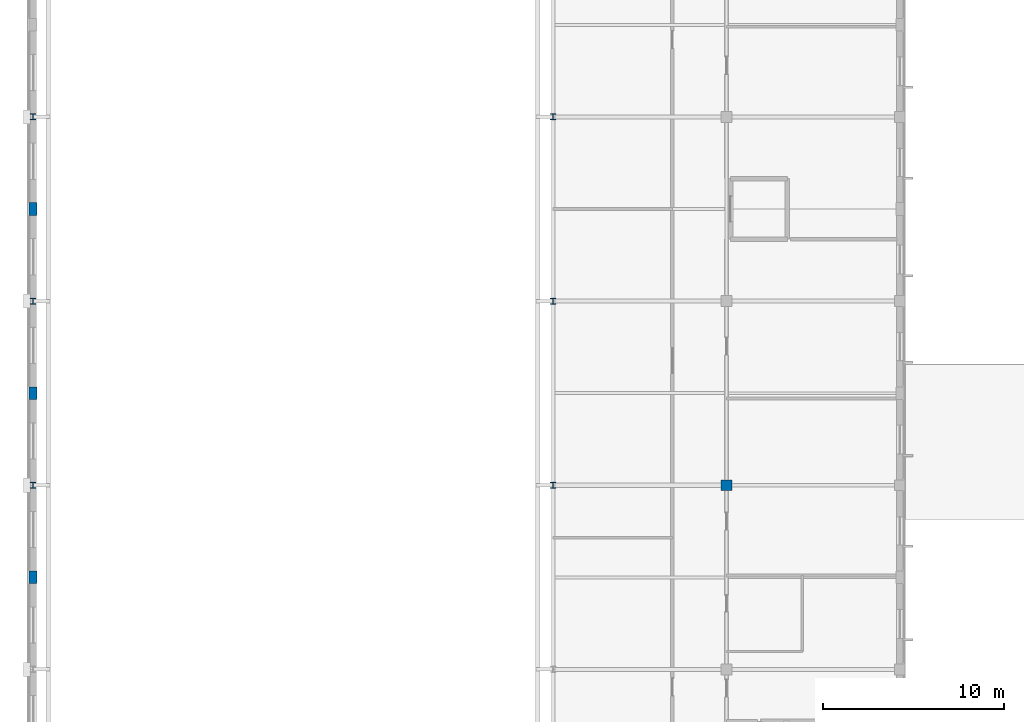
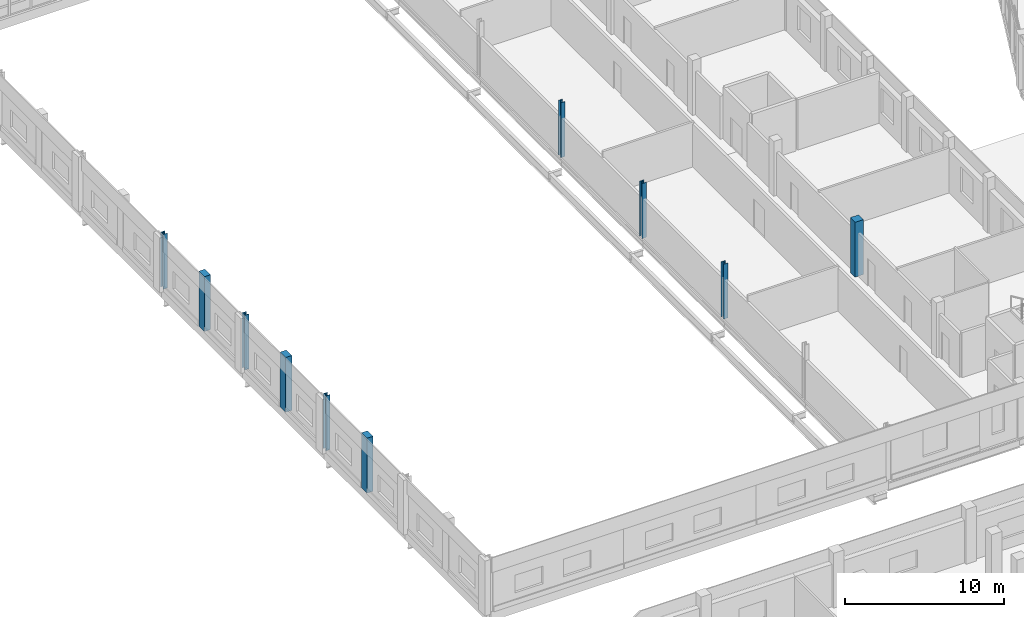
# One storey, part 6 of 170: 10 columns.
"""IFC4 building model written with IfcOpenShell, lengths in metres."""

from ifc_helpers import new_model, si_unit, direction, frame, origin, origin_2d, place, context, subcontext, project, spatial, rectangle, i_section, extrude, material, material_profile, profile_set, type_object, element, save


model = new_model("IFC4")

# Units and contexts
model_context = context("Model", 3, precision=1e-05, world=origin(), true_north=direction((0.0, 1.0)))
body_context = subcontext(model_context, "Body", "Model", "MODEL_VIEW")
ifc_project = project(units=[si_unit("LENGTHUNIT", "METRE"), si_unit("AREAUNIT", "SQUARE_METRE"), si_unit("VOLUMEUNIT", "CUBIC_METRE"), si_unit("PLANEANGLEUNIT", "RADIAN"), si_unit("MASSUNIT", "GRAM", prefix="KILO")], contexts=[model_context])

# Site, building, storey
site_placement = place(None, origin())
site = spatial("IfcSite", under=ifc_project, at=site_placement, CompositionType="ELEMENT")
building_placement = place(site_placement, origin())
building = spatial("IfcBuilding", under=site, at=building_placement, Name="Vondelvale Polytechnic", CompositionType="ELEMENT")
storey_placement = place(building_placement, frame((0.0, 0.0, 5.39990234375)))
storey = spatial("IfcBuildingStorey", under=building, at=storey_placement, Name="L01", CompositionType="ELEMENT", Elevation=5.39990234375)

# Columns
ifc_material_1 = material(Name="Concrete N50 (f'c = 50 MPa)", Category="concrete")
ifc_material_profile_1 = material_profile(ifc_material_1, rectangle(XDim=0.60009765625, YDim=0.60009765625, at=origin_2d()), Name="RC-COL-600x600")
ifc_profile_set_1 = profile_set([ifc_material_profile_1], Name="Concrete N50 (f'c = 50 MPa)")
column_type_1 = type_object("IfcColumnType", Name="COL-RC600", PredefinedType="COLUMN", material=ifc_profile_set_1)
column_placement = place(storey_placement, frame((38.39990234375, 71.39990234375, 0.0), z_axis=(0.0, 0.0, 1.0), x_axis=(1.0, 0.0, 0.0)))
element("IfcColumn", 1, at=column_placement, inside=storey, type_object=column_type_1, Name="L01 workshop column (38.4,71.4)", PredefinedType="COLUMN", context=body_context, shape_type="SweptSolid", body=[
    extrude(rectangle(XDim=0.60009765625, YDim=0.60009765625, at=origin_2d()), origin(), (0.0, 0.0, 1.0), 4.2001953125),
])
ifc_material_2 = material(Name="Steel 300PLUS (fy = 300 MPa)", Category="steel")
ifc_material_profile_2 = material_profile(ifc_material_2, i_section(OverallWidth=0.31103515625, OverallDepth=0.326904296875, WebThickness=0.015625, FlangeThickness=0.02490234375, FilletRadius=0.0166015625, at=origin_2d()), Name="310UC158")
ifc_profile_set_2 = profile_set([ifc_material_profile_2], Name="Steel 300PLUS (fy = 300 MPa)")
column_type_2 = type_object("IfcColumnType", Name="COL-UC310H", PredefinedType="COLUMN", material=ifc_profile_set_2)
for number, where, z_axis, x_axis, name in (
    (2, (0.0, 71.39990234375, 0.0), (0.0, 0.0, 1.0), (1.0, 0.0, 0.0), "L01 workshop column (0.0,71.4)"),
    (3, (28.800048828125, 71.39990234375, 0.0), (0.0, 0.0, 1.0), (1.0, 0.0, 0.0), "L01 workshop column (28.8,71.4)"),
    (4, (0.0, 81.60009765625, 0.0), (0.0, 0.0, 1.0), (1.0, 0.0, 0.0), "L01 workshop column (0.0,81.6)"),
    (5, (28.800048828125, 81.60009765625, 0.0), (0.0, 0.0, 1.0), (1.0, 0.0, 0.0), "L01 workshop column (28.8,81.6)"),
    (6, (0.0, 91.800048828125, 0.0), (0.0, 0.0, 1.0), (1.0, 0.0, 0.0), "L01 workshop column (0.0,91.8)"),
    (7, (28.800048828125, 91.800048828125, 0.0), (0.0, 0.0, 1.0), (1.0, 0.0, 0.0), "L01 workshop column (28.8,91.8)"),
):
    element("IfcColumn", number, at=place(storey_placement, frame(where, z_axis=z_axis, x_axis=x_axis)), inside=storey, type_object=column_type_2, Name=name, PredefinedType="COLUMN", context=body_context, shape_type="SweptSolid", body=[
        extrude(i_section(OverallWidth=0.31103515625, OverallDepth=0.326904296875, WebThickness=0.015625, FlangeThickness=0.02490234375, FilletRadius=0.0166015625, at=origin_2d()), origin(), (0.0, 0.0, 1.0), 4.2001953125),
    ])
ifc_material_profile_3 = material_profile(ifc_material_1, rectangle(XDim=0.449951171875, YDim=0.699951171875, at=origin_2d()), Name="RC-PIL-700x450")
ifc_profile_set_3 = profile_set([ifc_material_profile_3], Name="Concrete N50 (f'c = 50 MPa)")
column_type_3 = type_object("IfcColumnType", Name="PIL-RC700x450", PredefinedType="PILASTER", material=ifc_profile_set_3)
for number, where, z_axis, x_axis, name in (
    (8, (0.0, 66.300048828125, 0.0), (0.0, 0.0, 1.0), (1.0, 0.0, 0.0), "L01 West workshop brick pilaster 2"),
    (9, (0.0, 76.5, 0.0), (0.0, 0.0, 1.0), (1.0, 0.0, 0.0), "L01 West workshop brick pilaster 3"),
    (10, (0.0, 86.699951171875, 0.0), (0.0, 0.0, 1.0), (1.0, 0.0, 0.0), "L01 West workshop brick pilaster 4"),
):
    element("IfcColumn", number, at=place(storey_placement, frame(where, z_axis=z_axis, x_axis=x_axis)), inside=storey, type_object=column_type_3, Name=name, PredefinedType="PILASTER", context=body_context, shape_type="SweptSolid", body=[
        extrude(rectangle(XDim=0.449951171875, YDim=0.699951171875, at=origin_2d()), origin(), (0.0, 0.0, 1.0), 4.2001953125),
    ])

save(model, "model.ifc")
